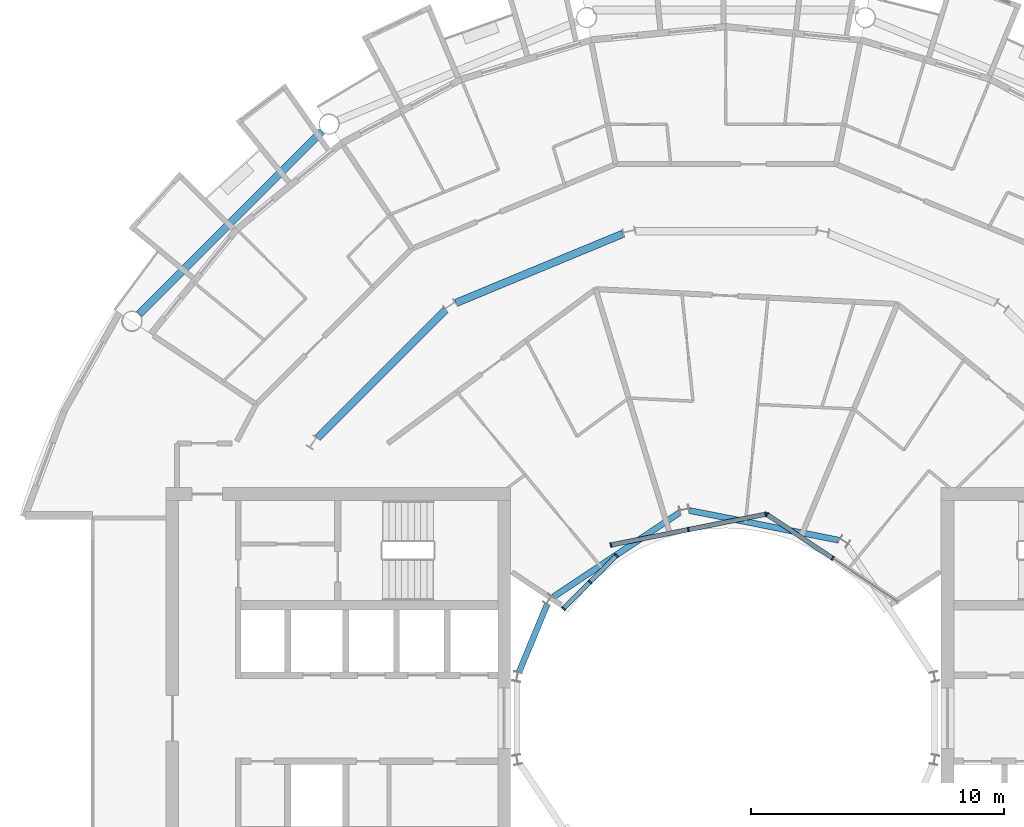
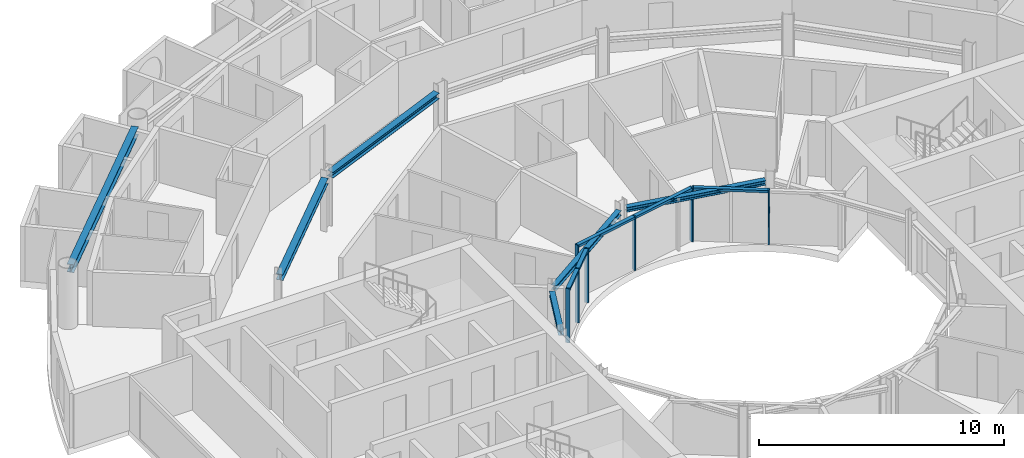
# One storey, part 8 of 27: 13 members, 6 beams, 3 elements without a shape of their own.
"""IFC4 building model written with IfcOpenShell, lengths in metres."""

from ifc_helpers import new_model, si_unit, direction, frame, origin, origin_2d, place, context, subcontext, project, spatial, rectangle, i_section, extrude, material, layer, layer_set, material_profile, profile_set, type_object, element, aggregate, save


model = new_model("IFC4")

# Units and contexts
model_context = context("Model", 3, precision=1e-05, world=origin(), true_north=direction((0.0, 1.0)))
body_context = subcontext(model_context, "Body", "Model", "MODEL_VIEW")
ifc_project = project(units=[si_unit("LENGTHUNIT", "METRE"), si_unit("AREAUNIT", "SQUARE_METRE"), si_unit("VOLUMEUNIT", "CUBIC_METRE"), si_unit("PLANEANGLEUNIT", "RADIAN"), si_unit("MASSUNIT", "GRAM", prefix="KILO")], contexts=[model_context])

# Site, building, storey
site_placement = place(None, origin())
site = spatial("IfcSite", under=ifc_project, at=site_placement, CompositionType="ELEMENT")
building_placement = place(site_placement, origin())
building = spatial("IfcBuilding", under=site, at=building_placement, Name="Maasbend Ring Residences", CompositionType="ELEMENT")
storey_placement = place(building_placement, frame((0.0, 0.0, 167.699951171875)))
storey = spatial("IfcBuildingStorey", under=building, at=storey_placement, Name="L48", CompositionType="ELEMENT", Elevation=167.699951171875)

# Curtain wall, members
ifc_material_1 = material(Name="Aluminium and clear glass", Category="aluminium")
ifc_layer = layer(ifc_material_1, 0.179931640625)
ifc_layer_set = layer_set([ifc_layer], Name="CW-W")
curtain_wall_type = type_object("IfcCurtainWallType", Name="CW-W", PredefinedType="NOTDEFINED", material=ifc_layer_set)
curtain_wall_1_placement = place(storey_placement, origin())
curtain_wall_1 = element("IfcCurtainWall", 1, at=curtain_wall_1_placement, inside=storey, type_object=curtain_wall_type, Name="Well curtain wall N1", PredefinedType="NOTDEFINED")
ifc_material_2 = material(Name="Aluminium 6063-T6", Category="aluminium")
ifc_material_profile_1 = material_profile(ifc_material_2, rectangle(XDim=0.179931640625, YDim=0.06005859375, at=origin_2d()), Name="AL 180x60")
ifc_profile_set_1 = profile_set([ifc_material_profile_1], Name="Aluminium 6063-T6")
member_type_1 = type_object("IfcMemberType", Name="CWM-W", PredefinedType="MULLION", material=ifc_profile_set_1)
member_1_placement = place(storey_placement, frame((4.216796875, 6.310791015625, 0.0), z_axis=(0.0, 0.0, 1.0), x_axis=(-0.55557023302, -0.831469612303, 0.0)))
member_1 = element("IfcMember", 2, at=member_1_placement, type_object=member_type_1, Name="Mullion well face", PredefinedType="MULLION", context=body_context, shape_type="SweptSolid", body=[
    extrude(rectangle(XDim=0.179931640625, YDim=0.06005859375, at=origin_2d()), origin(), (0.0, 0.0, 1.0), 2.699951171875),
])
member_2_placement = place(storey_placement, frame((1.627685546875, 8.040771484375, 0.0), z_axis=(0.0, 0.0, 1.0), x_axis=(-0.55557023302, -0.831469612303, 0.0)))
member_2 = element("IfcMember", 3, at=member_2_placement, type_object=member_type_1, Name="Mullion well face", PredefinedType="MULLION", context=body_context, shape_type="SweptSolid", body=[
    extrude(rectangle(XDim=0.179931640625, YDim=0.06005859375, at=origin_2d()), origin(), (0.0, 0.0, 1.0), 2.699951171875),
])

curtain_wall_2_placement = place(storey_placement, origin())
curtain_wall_2 = element("IfcCurtainWall", 4, at=curtain_wall_2_placement, inside=storey, type_object=curtain_wall_type, Name="Well curtain wall N2", PredefinedType="NOTDEFINED")
member_3_placement = place(storey_placement, frame((1.5732421875, 8.0517578125, 0.0), z_axis=(0.0, 0.0, 1.0), x_axis=(0.195090322016, -0.980785280403, 0.0)))
member_3 = element("IfcMember", 5, at=member_3_placement, type_object=member_type_1, Name="Mullion well face", PredefinedType="MULLION", context=body_context, shape_type="SweptSolid", body=[
    extrude(rectangle(XDim=0.179931640625, YDim=0.06005859375, at=origin_2d()), origin(), (0.0, 0.0, 1.0), 2.699951171875),
])
member_4_placement = place(storey_placement, frame((-1.480712890625, 7.444091796875, 0.0), z_axis=(0.0, 0.0, 1.0), x_axis=(0.195090322016, -0.980785280403, 0.0)))
member_4 = element("IfcMember", 6, at=member_4_placement, type_object=member_type_1, Name="Mullion well face", PredefinedType="MULLION", context=body_context, shape_type="SweptSolid", body=[
    extrude(rectangle(XDim=0.179931640625, YDim=0.06005859375, at=origin_2d()), origin(), (0.0, 0.0, 1.0), 2.699951171875),
])
member_5_placement = place(storey_placement, frame((-4.53466796875, 6.836669921875, 0.0), z_axis=(0.0, 0.0, 1.0), x_axis=(0.195090322016, -0.980785280403, 0.0)))
member_5 = element("IfcMember", 7, at=member_5_placement, type_object=member_type_1, Name="Mullion well face", PredefinedType="MULLION", context=body_context, shape_type="SweptSolid", body=[
    extrude(rectangle(XDim=0.179931640625, YDim=0.06005859375, at=origin_2d()), origin(), (0.0, 0.0, 1.0), 2.699951171875),
])

curtain_wall_3_placement = place(storey_placement, origin())
curtain_wall_3 = element("IfcCurtainWall", 8, at=curtain_wall_3_placement, inside=storey, type_object=curtain_wall_type, Name="Well curtain wall N3", PredefinedType="NOTDEFINED")
member_6_placement = place(storey_placement, frame((-4.320556640625, 6.413330078125, 0.0), z_axis=(0.0, 0.0, 1.0), x_axis=(0.707106781187, -0.707106781187, 0.0)))
member_6 = element("IfcMember", 9, at=member_6_placement, type_object=member_type_1, Name="Mullion well face", PredefinedType="MULLION", context=body_context, shape_type="SweptSolid", body=[
    extrude(rectangle(XDim=0.179931640625, YDim=0.06005859375, at=origin_2d()), origin(), (0.0, 0.0, 1.0), 2.699951171875),
])
member_7_placement = place(storey_placement, frame((-5.366943359375, 5.366943359375, 0.0), z_axis=(0.0, 0.0, 1.0), x_axis=(0.707106781187, -0.707106781187, 0.0)))
member_7 = element("IfcMember", 10, at=member_7_placement, type_object=member_type_1, Name="Mullion well face", PredefinedType="MULLION", context=body_context, shape_type="SweptSolid", body=[
    extrude(rectangle(XDim=0.179931640625, YDim=0.06005859375, at=origin_2d()), origin(), (0.0, 0.0, 1.0), 2.699951171875),
])
member_8_placement = place(storey_placement, frame((-6.413330078125, 4.320556640625, 0.0), z_axis=(0.0, 0.0, 1.0), x_axis=(0.707106781187, -0.707106781187, 0.0)))
member_8 = element("IfcMember", 11, at=member_8_placement, type_object=member_type_1, Name="Mullion well face", PredefinedType="MULLION", context=body_context, shape_type="SweptSolid", body=[
    extrude(rectangle(XDim=0.179931640625, YDim=0.06005859375, at=origin_2d()), origin(), (0.0, 0.0, 1.0), 2.699951171875),
])

# Member
ifc_material_3 = material(Name="Aluminium 6063-T6", Category="aluminium")
ifc_material_profile_2 = material_profile(ifc_material_3, rectangle(XDim=0.179931640625, YDim=0.1201171875, at=origin_2d()), Name="AL 180x120")
ifc_profile_set_2 = profile_set([ifc_material_profile_2], Name="Aluminium 6063-T6")
member_type_2 = type_object("IfcMemberType", Name="CWT-W", PredefinedType="USERDEFINED", material=ifc_profile_set_2)
member_9_placement = place(storey_placement, frame((4.19189453125, 6.32763671875, 2.64013671875), z_axis=(-0.831496422459, 0.555530106689, 0.0), x_axis=(-0.555530106689, -0.831496422459, 0.0)))
member_9 = element("IfcMember", 12, at=member_9_placement, type_object=member_type_2, Name="Transom well face", ObjectType="TRANSOM", PredefinedType="USERDEFINED", context=body_context, shape_type="SweptSolid", body=[
    extrude(rectangle(XDim=0.179931640625, YDim=0.1201171875, at=origin_2d()), origin(), (0.0, 0.0, 1.0), 3.053955078125),
])

aggregate(curtain_wall_1, [member_1, member_2, member_9])

member_10_placement = place(storey_placement, frame((1.5439453125, 8.0458984375, 2.64013671875), z_axis=(-0.980776956105, -0.195132166424, 0.0), x_axis=(0.195132166424, -0.980776956105, 0.0)))
member_10 = element("IfcMember", 13, at=member_10_placement, type_object=member_type_2, Name="Transom well face", ObjectType="TRANSOM", PredefinedType="USERDEFINED", context=body_context, shape_type="SweptSolid", body=[
    extrude(rectangle(XDim=0.179931640625, YDim=0.1201171875, at=origin_2d()), origin(), (0.0, 0.0, 1.0), 3.053955078125),
])

member_11_placement = place(storey_placement, frame((-1.51025390625, 7.438232421875, 2.64013671875), z_axis=(-0.980789210404, -0.19507056353, 0.0), x_axis=(0.19507056353, -0.980789210404, 0.0)))
member_11 = element("IfcMember", 14, at=member_11_placement, type_object=member_type_2, Name="Transom well face", ObjectType="TRANSOM", PredefinedType="USERDEFINED", context=body_context, shape_type="SweptSolid", body=[
    extrude(rectangle(XDim=0.179931640625, YDim=0.1201171875, at=origin_2d()), origin(), (0.0, 0.0, 1.0), 3.0537109375),
])

aggregate(curtain_wall_2, [member_3, member_4, member_5, member_10, member_11])

member_12_placement = place(storey_placement, frame((-4.341796875, 6.39208984375, 2.64013671875), z_axis=(-0.707106781187, -0.707106781187, 0.0), x_axis=(0.707106781187, -0.707106781187, 0.0)))
member_12 = element("IfcMember", 15, at=member_12_placement, type_object=member_type_2, Name="Transom well face", ObjectType="TRANSOM", PredefinedType="USERDEFINED", context=body_context, shape_type="SweptSolid", body=[
    extrude(rectangle(XDim=0.179931640625, YDim=0.1201171875, at=origin_2d()), origin(), (0.0, 0.0, 1.0), 1.419677734375),
])

member_13_placement = place(storey_placement, frame((-5.38818359375, 5.345703125, 2.64013671875), z_axis=(-0.707106781187, -0.707106781187, 0.0), x_axis=(0.707106781187, -0.707106781187, 0.0)))
member_13 = element("IfcMember", 16, at=member_13_placement, type_object=member_type_2, Name="Transom well face", ObjectType="TRANSOM", PredefinedType="USERDEFINED", context=body_context, shape_type="SweptSolid", body=[
    extrude(rectangle(XDim=0.179931640625, YDim=0.1201171875, at=origin_2d()), origin(), (0.0, 0.0, 1.0), 1.419677734375),
])

aggregate(curtain_wall_3, [member_6, member_7, member_8, member_12, member_13])

# Beams
ifc_material_4 = material(Name="Steel S355J2", Category="steel")
ifc_material_profile_3 = material_profile(ifc_material_4, i_section(OverallWidth=0.300048828125, OverallDepth=0.2900390625, WebThickness=0.008544921875, FlangeThickness=0.013916015625, FilletRadius=0.027099609375, at=origin_2d()), Name="HEA 300")
ifc_profile_set_3 = profile_set([ifc_material_profile_3], Name="Steel S355J2")
beam_type_1 = type_object("IfcBeamType", Name="Corridor ring beam HEA 300", PredefinedType="BEAM", material=ifc_profile_set_3)
for number, where, z_axis, x_axis, name in (
    (17, (-4.059326171875, 19.1259765625, 2.554931640625), (-0.923871339849, -0.382703210602, 0.0), (0.382703210602, -0.923871339849, 0.0), "Corridor ring beam"),
    (18, (-11.0693359375, 16.11669921875, 2.554931640625), (-0.707106781187, -0.707106781187, 0.0), (0.707106781187, -0.707106781187, 0.0), "Corridor ring beam"),
):
    element("IfcBeam", number, at=place(storey_placement, frame(where, z_axis=z_axis, x_axis=x_axis)), inside=storey, type_object=beam_type_1, Name=name, PredefinedType="BEAM", context=body_context, shape_type="SweptSolid", body=[
        extrude(i_section(OverallWidth=0.300048828125, OverallDepth=0.2900390625, WebThickness=0.008544921875, FlangeThickness=0.013916015625, FilletRadius=0.027099609375, at=origin_2d()), origin(), (0.0, 0.0, 1.0), 7.137939453125),
    ])
ifc_material_5 = material(Name="Steel S355J2", Category="steel")
ifc_material_profile_4 = material_profile(ifc_material_5, i_section(OverallWidth=0.300048828125, OverallDepth=0.39990234375, WebThickness=0.013427734375, FlangeThickness=0.02392578125, FilletRadius=0.027099609375, at=origin_2d()), Name="HEB 400")
ifc_profile_set_4 = profile_set([ifc_material_profile_4], Name="Steel S355J2")
beam_type_2 = type_object("IfcBeamType", Name="Spandrel ring beam HEB 400", PredefinedType="SPANDREL", material=ifc_profile_set_4)
beam_1_placement = place(storey_placement, frame((-15.95458984375, 23.159912109375, 2.5), z_axis=(-0.707106781187, -0.707106781187, 0.0), x_axis=(0.707106781187, -0.707106781187, 0.0)))
element("IfcBeam", 19, at=beam_1_placement, inside=storey, type_object=beam_type_2, Name="Spandrel ring beam", PredefinedType="SPANDREL", context=body_context, shape_type="SweptSolid", body=[
    extrude(i_section(OverallWidth=0.300048828125, OverallDepth=0.39990234375, WebThickness=0.013427734375, FlangeThickness=0.02392578125, FilletRadius=0.027099609375, at=origin_2d()), origin(), (0.0, 0.0, 1.0), 10.18994140625),
])
ifc_material_6 = material(Name="Steel S355J2", Category="steel")
ifc_material_profile_5 = material_profile(ifc_material_6, i_section(OverallWidth=0.239990234375, OverallDepth=0.22998046875, WebThickness=0.007568359375, FlangeThickness=0.011962890625, FilletRadius=0.02099609375, at=origin_2d()), Name="HEA 240")
ifc_profile_set_5 = profile_set([ifc_material_profile_5], Name="Steel S355J2")
beam_type_3 = type_object("IfcBeamType", Name="Well edge beam HEA 240", PredefinedType="BEAM", material=ifc_profile_set_5)
beam_2_placement = place(storey_placement, frame((4.459716796875, 7.025390625, 2.5849609375), z_axis=(-0.980778695042, 0.195123425945, 0.0), x_axis=(-0.195123425945, -0.980778695042, 0.0)))
element("IfcBeam", 20, at=beam_2_placement, inside=storey, type_object=beam_type_3, Name="Well edge beam", PredefinedType="BEAM", context=body_context, shape_type="SweptSolid", body=[
    extrude(i_section(OverallWidth=0.239990234375, OverallDepth=0.22998046875, WebThickness=0.007568359375, FlangeThickness=0.011962890625, FilletRadius=0.02099609375, at=origin_2d()), origin(), (0.0, 0.0, 1.0), 6.007080078125),
])
beam_3_placement = place(storey_placement, frame((-1.814208984375, 8.121337890625, 2.5849609375), z_axis=(-0.831480850227, -0.555553413909, 0.0), x_axis=(0.555553413909, -0.831480850227, 0.0)))
element("IfcBeam", 21, at=beam_3_placement, inside=storey, type_object=beam_type_3, Name="Well edge beam", PredefinedType="BEAM", context=body_context, shape_type="SweptSolid", body=[
    extrude(i_section(OverallWidth=0.239990234375, OverallDepth=0.22998046875, WebThickness=0.007568359375, FlangeThickness=0.011962890625, FilletRadius=0.02099609375, at=origin_2d()), origin(), (0.0, 0.0, 1.0), 6.0068359375),
])
beam_4_placement = place(storey_placement, frame((-7.060302734375, 4.483154296875, 2.5849609375), z_axis=(-0.382748596828, -0.923852537814, 0.0), x_axis=(0.923852537814, -0.382748596828, 0.0)))
element("IfcBeam", 22, at=beam_4_placement, inside=storey, type_object=beam_type_3, Name="Well edge beam", PredefinedType="BEAM", context=body_context, shape_type="SweptSolid", body=[
    extrude(i_section(OverallWidth=0.239990234375, OverallDepth=0.22998046875, WebThickness=0.007568359375, FlangeThickness=0.011962890625, FilletRadius=0.02099609375, at=origin_2d()), origin(), (0.0, 0.0, 1.0), 2.8798828125),
])

save(model, "model.ifc")
